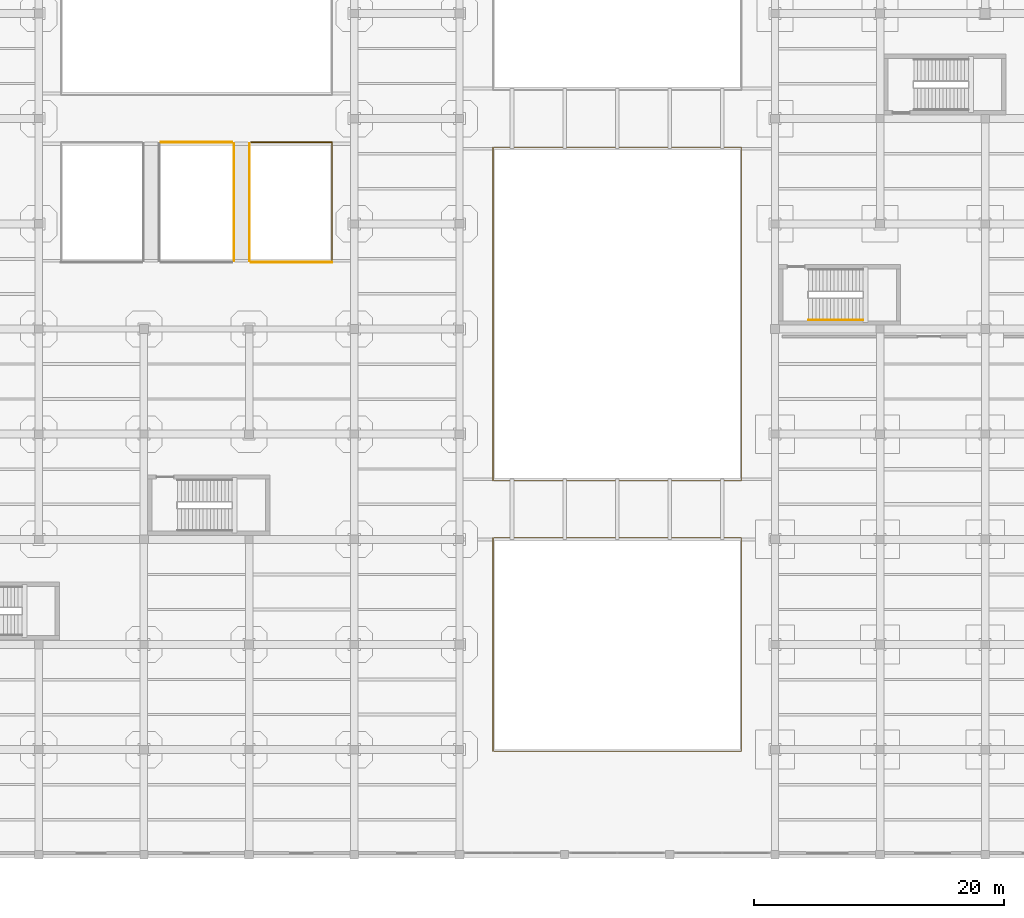
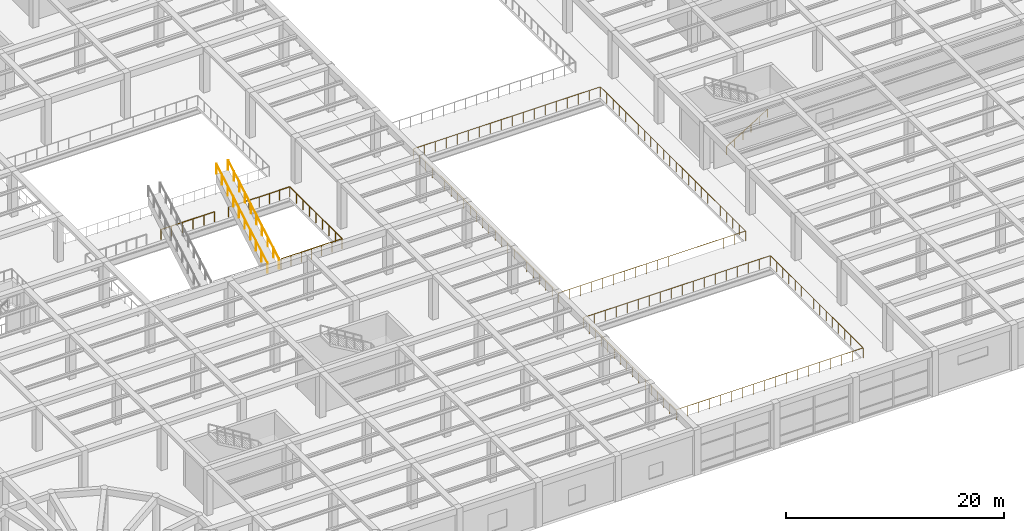
# One storey, part 86 of 95: 8 railings.
"""IFC4 building model written with IfcOpenShell, lengths in metres."""

from ifc_helpers import new_model, si_unit, direction, frame, origin, origin_2d, place, context, subcontext, project, spatial, circle, extrude, material, type_object, element, save


model = new_model("IFC4")

# Units and contexts
model_context = context("Model", 3, precision=1e-05, world=origin(), true_north=direction((0.0, 1.0)))
body_context = subcontext(model_context, "Body", "Model", "MODEL_VIEW")
ifc_project = project(units=[si_unit("LENGTHUNIT", "METRE"), si_unit("AREAUNIT", "SQUARE_METRE"), si_unit("VOLUMEUNIT", "CUBIC_METRE"), si_unit("PLANEANGLEUNIT", "RADIAN"), si_unit("MASSUNIT", "GRAM", prefix="KILO")], contexts=[model_context])

# Site, building, storey
site_placement = place(None, origin())
site = spatial("IfcSite", under=ifc_project, at=site_placement, CompositionType="ELEMENT")
building_placement = place(site_placement, origin())
building = spatial("IfcBuilding", under=site, at=building_placement, Name="Almacenes y Pasaje Nevantli", CompositionType="ELEMENT")
storey_placement = place(building_placement, frame((0.0, 0.0, 11.39990234375)))
storey = spatial("IfcBuildingStorey", under=building, at=storey_placement, Name="L03", CompositionType="ELEMENT", Elevation=11.39990234375)

# Railings
ifc_material_1 = material(Name="Brushed Stainless Steel and Tempered Safety Glass", Category="steel")
railing_type_1 = type_object("IfcRailingType", Name="RL-GUARD-1100", PredefinedType="BALUSTRADE", material=ifc_material_1)
for number, where, name in (
    (1, (49.179931640625, 47.449951171875, 0.0), "Atrium Escalator ESC-06 W Balustrade"),
    (2, (50.419921875, 47.449951171875, 0.0), "Atrium Escalator ESC-06 E Balustrade"),
):
    element("IfcRailing", number, at=place(storey_placement, frame(where)), inside=storey, type_object=railing_type_1, Name=name, PredefinedType="BALUSTRADE", context=body_context, shape_type="SweptSolid", body=[
        extrude(circle(Radius=0.02392578125, at=origin_2d()), frame((0.0, 0.02587890625, 1.140869140625), z_axis=(0.0, 0.865950598439, 0.500129544281), x_axis=(-1.0, 0.0, 0.0)), (0.0, 0.0, 1.0), 10.737548828125),
        extrude(circle(Radius=0.02099609375, at=origin_2d()), origin(), (0.0, 0.0, 1.0), 1.096923828125),
        extrude(circle(Radius=0.02099609375, at=origin_2d()), frame((0.0, 1.038818359375, 0.60009765625)), (0.0, 0.0, 1.0), 1.096923828125),
        extrude(circle(Radius=0.02099609375, at=origin_2d()), frame((0.0, 2.077880859375, 1.199951171875)), (0.0, 0.0, 1.0), 1.096923828125),
        extrude(circle(Radius=0.02099609375, at=origin_2d()), frame((0.0, 3.11669921875, 1.800048828125)), (0.0, 0.0, 1.0), 1.096923828125),
        extrude(circle(Radius=0.02099609375, at=origin_2d()), frame((0.0, 4.155517578125, 2.400146484375)), (0.0, 0.0, 1.0), 1.096923828125),
        extrude(circle(Radius=0.02099609375, at=origin_2d()), frame((0.0, 5.194580078125, 3.0)), (0.0, 0.0, 1.0), 1.096923828125),
        extrude(circle(Radius=0.02099609375, at=origin_2d()), frame((0.0, 6.2333984375, 3.60009765625)), (0.0, 0.0, 1.0), 1.096923828125),
        extrude(circle(Radius=0.02099609375, at=origin_2d()), frame((0.0, 7.272216796875, 4.2001953125)), (0.0, 0.0, 1.0), 1.096923828125),
        extrude(circle(Radius=0.02099609375, at=origin_2d()), frame((0.0, 8.311279296875, 4.800048828125)), (0.0, 0.0, 1.0), 1.096923828125),
        extrude(circle(Radius=0.02099609375, at=origin_2d()), frame((0.0, 9.35009765625, 5.400146484375)), (0.0, 0.0, 1.0), 1.096923828125),
    ])
railing_1_placement = place(storey_placement, frame((43.35009765625, 56.919921875, 0.0)))
element("IfcRailing", 3, at=railing_1_placement, inside=storey, type_object=railing_type_1, Name="L03 South Atrium Bridge Center Guard Balustrade", PredefinedType="BALUSTRADE", context=body_context, shape_type="SweptSolid", body=[
    extrude(circle(Radius=0.02392578125, at=origin_2d()), frame((0.030029296875, 0.0, 1.1259765625), z_axis=(1.0, 0.0, 0.0), x_axis=(0.0, 1.0, 0.0)), (0.0, 0.0, 1.0), 5.639892578125),
    extrude(circle(Radius=0.02099609375, at=origin_2d()), origin(), (0.0, 0.0, 1.0), 1.096923828125),
    extrude(circle(Radius=0.02099609375, at=origin_2d()), frame((1.139892578125, 0.0, 0.0)), (0.0, 0.0, 1.0), 1.096923828125),
    extrude(circle(Radius=0.02099609375, at=origin_2d()), frame((2.280029296875, 0.0, 0.0)), (0.0, 0.0, 1.0), 1.096923828125),
    extrude(circle(Radius=0.02099609375, at=origin_2d()), frame((3.419921875, 0.0, 0.0)), (0.0, 0.0, 1.0), 1.096923828125),
    extrude(circle(Radius=0.02099609375, at=origin_2d()), frame((4.56005859375, 0.0, 0.0)), (0.0, 0.0, 1.0), 1.096923828125),
    extrude(circle(Radius=0.02099609375, at=origin_2d()), frame((5.699951171875, 0.0, 0.0)), (0.0, 0.0, 1.0), 1.096923828125),
])
railing_2_placement = place(storey_placement, frame((50.550048828125, 56.919921875, 0.0)))
element("IfcRailing", 4, at=railing_2_placement, inside=storey, type_object=railing_type_1, Name="L03 South Atrium Void East Guard Balustrade", PredefinedType="BALUSTRADE", context=body_context, shape_type="SweptSolid", body=[
    extrude(circle(Radius=0.02392578125, at=origin_2d()), frame((0.030029296875, 0.0, 1.1259765625), z_axis=(1.0, 0.0, 0.0), x_axis=(0.0, 1.0, 0.0)), (0.0, 0.0, 1.0), 6.409912109375),
    extrude(circle(Radius=0.02392578125, at=origin_2d()), frame((6.469970703125, -0.030029296875, 1.1259765625), z_axis=(0.0, -1.0, 0.0), x_axis=(1.0, 0.0, 0.0)), (0.0, 0.0, 1.0), 9.52978515625),
    extrude(circle(Radius=0.02099609375, at=origin_2d()), origin(), (0.0, 0.0, 1.0), 1.096923828125),
    extrude(circle(Radius=0.02099609375, at=origin_2d()), frame((1.078369140625, 0.0, 0.0)), (0.0, 0.0, 1.0), 1.096923828125),
    extrude(circle(Radius=0.02099609375, at=origin_2d()), frame((2.15673828125, 0.0, 0.0)), (0.0, 0.0, 1.0), 1.096923828125),
    extrude(circle(Radius=0.02099609375, at=origin_2d()), frame((3.23486328125, 0.0, 0.0)), (0.0, 0.0, 1.0), 1.096923828125),
    extrude(circle(Radius=0.02099609375, at=origin_2d()), frame((4.313232421875, 0.0, 0.0)), (0.0, 0.0, 1.0), 1.096923828125),
    extrude(circle(Radius=0.02099609375, at=origin_2d()), frame((5.3916015625, 0.0, 0.0)), (0.0, 0.0, 1.0), 1.096923828125),
    extrude(circle(Radius=0.02099609375, at=origin_2d()), frame((6.469970703125, 0.0, 0.0)), (0.0, 0.0, 1.0), 1.096923828125),
    extrude(circle(Radius=0.02099609375, at=origin_2d()), frame((6.469970703125, -1.19873046875, 0.0)), (0.0, 0.0, 1.0), 1.096923828125),
    extrude(circle(Radius=0.02099609375, at=origin_2d()), frame((6.469970703125, -2.3974609375, 0.0)), (0.0, 0.0, 1.0), 1.096923828125),
    extrude(circle(Radius=0.02099609375, at=origin_2d()), frame((6.469970703125, -3.59619140625, 0.0)), (0.0, 0.0, 1.0), 1.096923828125),
    extrude(circle(Radius=0.02099609375, at=origin_2d()), frame((6.469970703125, -4.794921875, 0.0)), (0.0, 0.0, 1.0), 1.096923828125),
    extrude(circle(Radius=0.02099609375, at=origin_2d()), frame((6.469970703125, -5.99365234375, 0.0)), (0.0, 0.0, 1.0), 1.096923828125),
    extrude(circle(Radius=0.02099609375, at=origin_2d()), frame((6.469970703125, -7.1923828125, 0.0)), (0.0, 0.0, 1.0), 1.096923828125),
    extrude(circle(Radius=0.02099609375, at=origin_2d()), frame((6.469970703125, -8.39111328125, 0.0)), (0.0, 0.0, 1.0), 1.096923828125),
    extrude(circle(Radius=0.02099609375, at=origin_2d()), frame((6.469970703125, -9.58984375, 0.0)), (0.0, 0.0, 1.0), 1.096923828125),
])
railing_3_placement = place(storey_placement, frame((50.550048828125, 47.330078125, 0.0)))
element("IfcRailing", 5, at=railing_3_placement, inside=storey, type_object=railing_type_1, Name="L03 South Atrium South-East Guard", PredefinedType="BALUSTRADE", context=body_context, shape_type="SweptSolid", body=[
    extrude(circle(Radius=0.02392578125, at=origin_2d()), frame((0.030029296875, 0.0, 1.1259765625), z_axis=(1.0, 0.0, 0.0), x_axis=(0.0, 1.0, 0.0)), (0.0, 0.0, 1.0), 6.409912109375),
    extrude(circle(Radius=0.02099609375, at=origin_2d()), origin(), (0.0, 0.0, 1.0), 1.096923828125),
    extrude(circle(Radius=0.02099609375, at=origin_2d()), frame((1.078369140625, 0.0, 0.0)), (0.0, 0.0, 1.0), 1.096923828125),
    extrude(circle(Radius=0.02099609375, at=origin_2d()), frame((2.15673828125, 0.0, 0.0)), (0.0, 0.0, 1.0), 1.096923828125),
    extrude(circle(Radius=0.02099609375, at=origin_2d()), frame((3.23486328125, 0.0, 0.0)), (0.0, 0.0, 1.0), 1.096923828125),
    extrude(circle(Radius=0.02099609375, at=origin_2d()), frame((4.313232421875, 0.0, 0.0)), (0.0, 0.0, 1.0), 1.096923828125),
    extrude(circle(Radius=0.02099609375, at=origin_2d()), frame((5.3916015625, 0.0, 0.0)), (0.0, 0.0, 1.0), 1.096923828125),
    extrude(circle(Radius=0.02099609375, at=origin_2d()), frame((6.469970703125, 0.0, 0.0)), (0.0, 0.0, 1.0), 1.096923828125),
])
railing_4_placement = place(storey_placement, frame((69.8798828125, 8.280029296875, 0.0)))
element("IfcRailing", 6, at=railing_4_placement, inside=storey, type_object=railing_type_1, Name="L03 Arcade Galleria Void VOID-ARC-1 Guard Balustrade", PredefinedType="BALUSTRADE", context=body_context, shape_type="SweptSolid", body=[
    extrude(circle(Radius=0.02392578125, at=origin_2d()), frame((0.030029296875, 0.0, 1.1259765625), z_axis=(1.0, 0.0, 0.0), x_axis=(0.0, 1.0, 0.0)), (0.0, 0.0, 1.0), 19.780029296875),
    extrude(circle(Radius=0.02392578125, at=origin_2d()), frame((19.840087890625, 0.030029296875, 1.1259765625), z_axis=(0.0, 1.0, 0.0), x_axis=(-1.0, 0.0, 0.0)), (0.0, 0.0, 1.0), 16.97998046875),
    extrude(circle(Radius=0.02392578125, at=origin_2d()), frame((19.81005859375, 17.0400390625, 1.1259765625), z_axis=(-1.0, 0.0, 0.0), x_axis=(0.0, -1.0, 0.0)), (0.0, 0.0, 1.0), 19.780029296875),
    extrude(circle(Radius=0.02392578125, at=origin_2d()), frame((0.0, 17.010009765625, 1.1259765625), z_axis=(0.0, -1.0, 0.0), x_axis=(1.0, 0.0, 0.0)), (0.0, 0.0, 1.0), 16.97998046875),
    extrude(circle(Radius=0.02099609375, at=origin_2d()), origin(), (0.0, 0.0, 1.0), 1.096923828125),
    extrude(circle(Radius=0.02099609375, at=origin_2d()), frame((1.1669921875, 0.0, 0.0)), (0.0, 0.0, 1.0), 1.096923828125),
    extrude(circle(Radius=0.02099609375, at=origin_2d()), frame((2.334228515625, 0.0, 0.0)), (0.0, 0.0, 1.0), 1.096923828125),
    extrude(circle(Radius=0.02099609375, at=origin_2d()), frame((3.501220703125, 0.0, 0.0)), (0.0, 0.0, 1.0), 1.096923828125),
    extrude(circle(Radius=0.02099609375, at=origin_2d()), frame((4.668212890625, 0.0, 0.0)), (0.0, 0.0, 1.0), 1.096923828125),
    extrude(circle(Radius=0.02099609375, at=origin_2d()), frame((5.835205078125, 0.0, 0.0)), (0.0, 0.0, 1.0), 1.096923828125),
    extrude(circle(Radius=0.02099609375, at=origin_2d()), frame((7.00244140625, 0.0, 0.0)), (0.0, 0.0, 1.0), 1.096923828125),
    extrude(circle(Radius=0.02099609375, at=origin_2d()), frame((8.16943359375, 0.0, 0.0)), (0.0, 0.0, 1.0), 1.096923828125),
    extrude(circle(Radius=0.02099609375, at=origin_2d()), frame((9.33642578125, 0.0, 0.0)), (0.0, 0.0, 1.0), 1.096923828125),
    extrude(circle(Radius=0.02099609375, at=origin_2d()), frame((10.503662109375, 0.0, 0.0)), (0.0, 0.0, 1.0), 1.096923828125),
    extrude(circle(Radius=0.02099609375, at=origin_2d()), frame((11.670654296875, 0.0, 0.0)), (0.0, 0.0, 1.0), 1.096923828125),
    extrude(circle(Radius=0.02099609375, at=origin_2d()), frame((12.837646484375, 0.0, 0.0)), (0.0, 0.0, 1.0), 1.096923828125),
    extrude(circle(Radius=0.02099609375, at=origin_2d()), frame((14.0048828125, 0.0, 0.0)), (0.0, 0.0, 1.0), 1.096923828125),
    extrude(circle(Radius=0.02099609375, at=origin_2d()), frame((15.171875, 0.0, 0.0)), (0.0, 0.0, 1.0), 1.096923828125),
    extrude(circle(Radius=0.02099609375, at=origin_2d()), frame((16.3388671875, 0.0, 0.0)), (0.0, 0.0, 1.0), 1.096923828125),
    extrude(circle(Radius=0.02099609375, at=origin_2d()), frame((17.505859375, 0.0, 0.0)), (0.0, 0.0, 1.0), 1.096923828125),
    extrude(circle(Radius=0.02099609375, at=origin_2d()), frame((18.673095703125, 0.0, 0.0)), (0.0, 0.0, 1.0), 1.096923828125),
    extrude(circle(Radius=0.02099609375, at=origin_2d()), frame((19.840087890625, 0.0, 0.0)), (0.0, 0.0, 1.0), 1.096923828125),
    extrude(circle(Radius=0.02099609375, at=origin_2d()), frame((19.840087890625, 1.135986328125, 0.0)), (0.0, 0.0, 1.0), 1.096923828125),
    extrude(circle(Radius=0.02099609375, at=origin_2d()), frame((19.840087890625, 2.27197265625, 0.0)), (0.0, 0.0, 1.0), 1.096923828125),
    extrude(circle(Radius=0.02099609375, at=origin_2d()), frame((19.840087890625, 3.407958984375, 0.0)), (0.0, 0.0, 1.0), 1.096923828125),
    extrude(circle(Radius=0.02099609375, at=origin_2d()), frame((19.840087890625, 4.5439453125, 0.0)), (0.0, 0.0, 1.0), 1.096923828125),
    extrude(circle(Radius=0.02099609375, at=origin_2d()), frame((19.840087890625, 5.679931640625, 0.0)), (0.0, 0.0, 1.0), 1.096923828125),
    extrude(circle(Radius=0.02099609375, at=origin_2d()), frame((19.840087890625, 6.81591796875, 0.0)), (0.0, 0.0, 1.0), 1.096923828125),
    extrude(circle(Radius=0.02099609375, at=origin_2d()), frame((19.840087890625, 7.951904296875, 0.0)), (0.0, 0.0, 1.0), 1.096923828125),
    extrude(circle(Radius=0.02099609375, at=origin_2d()), frame((19.840087890625, 9.088134765625, 0.0)), (0.0, 0.0, 1.0), 1.096923828125),
    extrude(circle(Radius=0.02099609375, at=origin_2d()), frame((19.840087890625, 10.22412109375, 0.0)), (0.0, 0.0, 1.0), 1.096923828125),
    extrude(circle(Radius=0.02099609375, at=origin_2d()), frame((19.840087890625, 11.360107421875, 0.0)), (0.0, 0.0, 1.0), 1.096923828125),
    extrude(circle(Radius=0.02099609375, at=origin_2d()), frame((19.840087890625, 12.49609375, 0.0)), (0.0, 0.0, 1.0), 1.096923828125),
    extrude(circle(Radius=0.02099609375, at=origin_2d()), frame((19.840087890625, 13.632080078125, 0.0)), (0.0, 0.0, 1.0), 1.096923828125),
    extrude(circle(Radius=0.02099609375, at=origin_2d()), frame((19.840087890625, 14.76806640625, 0.0)), (0.0, 0.0, 1.0), 1.096923828125),
    extrude(circle(Radius=0.02099609375, at=origin_2d()), frame((19.840087890625, 15.904052734375, 0.0)), (0.0, 0.0, 1.0), 1.096923828125),
    extrude(circle(Radius=0.02099609375, at=origin_2d()), frame((19.840087890625, 17.0400390625, 0.0)), (0.0, 0.0, 1.0), 1.096923828125),
    extrude(circle(Radius=0.02099609375, at=origin_2d()), frame((18.673095703125, 17.0400390625, 0.0)), (0.0, 0.0, 1.0), 1.096923828125),
    extrude(circle(Radius=0.02099609375, at=origin_2d()), frame((17.505859375, 17.0400390625, 0.0)), (0.0, 0.0, 1.0), 1.096923828125),
    extrude(circle(Radius=0.02099609375, at=origin_2d()), frame((16.3388671875, 17.0400390625, 0.0)), (0.0, 0.0, 1.0), 1.096923828125),
    extrude(circle(Radius=0.02099609375, at=origin_2d()), frame((15.171875, 17.0400390625, 0.0)), (0.0, 0.0, 1.0), 1.096923828125),
    extrude(circle(Radius=0.02099609375, at=origin_2d()), frame((14.0048828125, 17.0400390625, 0.0)), (0.0, 0.0, 1.0), 1.096923828125),
    extrude(circle(Radius=0.02099609375, at=origin_2d()), frame((12.837646484375, 17.0400390625, 0.0)), (0.0, 0.0, 1.0), 1.096923828125),
    extrude(circle(Radius=0.02099609375, at=origin_2d()), frame((11.670654296875, 17.0400390625, 0.0)), (0.0, 0.0, 1.0), 1.096923828125),
    extrude(circle(Radius=0.02099609375, at=origin_2d()), frame((10.503662109375, 17.0400390625, 0.0)), (0.0, 0.0, 1.0), 1.096923828125),
    extrude(circle(Radius=0.02099609375, at=origin_2d()), frame((9.33642578125, 17.0400390625, 0.0)), (0.0, 0.0, 1.0), 1.096923828125),
    extrude(circle(Radius=0.02099609375, at=origin_2d()), frame((8.16943359375, 17.0400390625, 0.0)), (0.0, 0.0, 1.0), 1.096923828125),
    extrude(circle(Radius=0.02099609375, at=origin_2d()), frame((7.00244140625, 17.0400390625, 0.0)), (0.0, 0.0, 1.0), 1.096923828125),
    extrude(circle(Radius=0.02099609375, at=origin_2d()), frame((5.835205078125, 17.0400390625, 0.0)), (0.0, 0.0, 1.0), 1.096923828125),
    extrude(circle(Radius=0.02099609375, at=origin_2d()), frame((4.668212890625, 17.0400390625, 0.0)), (0.0, 0.0, 1.0), 1.096923828125),
    extrude(circle(Radius=0.02099609375, at=origin_2d()), frame((3.501220703125, 17.0400390625, 0.0)), (0.0, 0.0, 1.0), 1.096923828125),
    extrude(circle(Radius=0.02099609375, at=origin_2d()), frame((2.334228515625, 17.0400390625, 0.0)), (0.0, 0.0, 1.0), 1.096923828125),
    extrude(circle(Radius=0.02099609375, at=origin_2d()), frame((1.1669921875, 17.0400390625, 0.0)), (0.0, 0.0, 1.0), 1.096923828125),
    extrude(circle(Radius=0.02099609375, at=origin_2d()), frame((0.0, 17.0400390625, 0.0)), (0.0, 0.0, 1.0), 1.096923828125),
    extrude(circle(Radius=0.02099609375, at=origin_2d()), frame((0.0, 15.904052734375, 0.0)), (0.0, 0.0, 1.0), 1.096923828125),
    extrude(circle(Radius=0.02099609375, at=origin_2d()), frame((0.0, 14.76806640625, 0.0)), (0.0, 0.0, 1.0), 1.096923828125),
    extrude(circle(Radius=0.02099609375, at=origin_2d()), frame((0.0, 13.632080078125, 0.0)), (0.0, 0.0, 1.0), 1.096923828125),
    extrude(circle(Radius=0.02099609375, at=origin_2d()), frame((0.0, 12.49609375, 0.0)), (0.0, 0.0, 1.0), 1.096923828125),
    extrude(circle(Radius=0.02099609375, at=origin_2d()), frame((0.0, 11.360107421875, 0.0)), (0.0, 0.0, 1.0), 1.096923828125),
    extrude(circle(Radius=0.02099609375, at=origin_2d()), frame((0.0, 10.22412109375, 0.0)), (0.0, 0.0, 1.0), 1.096923828125),
    extrude(circle(Radius=0.02099609375, at=origin_2d()), frame((0.0, 9.088134765625, 0.0)), (0.0, 0.0, 1.0), 1.096923828125),
    extrude(circle(Radius=0.02099609375, at=origin_2d()), frame((0.0, 7.951904296875, 0.0)), (0.0, 0.0, 1.0), 1.096923828125),
    extrude(circle(Radius=0.02099609375, at=origin_2d()), frame((0.0, 6.81591796875, 0.0)), (0.0, 0.0, 1.0), 1.096923828125),
    extrude(circle(Radius=0.02099609375, at=origin_2d()), frame((0.0, 5.679931640625, 0.0)), (0.0, 0.0, 1.0), 1.096923828125),
    extrude(circle(Radius=0.02099609375, at=origin_2d()), frame((0.0, 4.5439453125, 0.0)), (0.0, 0.0, 1.0), 1.096923828125),
    extrude(circle(Radius=0.02099609375, at=origin_2d()), frame((0.0, 3.407958984375, 0.0)), (0.0, 0.0, 1.0), 1.096923828125),
    extrude(circle(Radius=0.02099609375, at=origin_2d()), frame((0.0, 2.27197265625, 0.0)), (0.0, 0.0, 1.0), 1.096923828125),
    extrude(circle(Radius=0.02099609375, at=origin_2d()), frame((0.0, 1.135986328125, 0.0)), (0.0, 0.0, 1.0), 1.096923828125),
])
railing_5_placement = place(storey_placement, frame((69.8798828125, 29.8798828125, 0.0)))
element("IfcRailing", 7, at=railing_5_placement, inside=storey, type_object=railing_type_1, Name="L03 Arcade Galleria Void VOID-ARC-2 Guard Balustrade", PredefinedType="BALUSTRADE", context=body_context, shape_type="SweptSolid", body=[
    extrude(circle(Radius=0.02392578125, at=origin_2d()), frame((0.030029296875, 0.0, 1.1259765625), z_axis=(1.0, 0.0, 0.0), x_axis=(0.0, 1.0, 0.0)), (0.0, 0.0, 1.0), 19.780029296875),
    extrude(circle(Radius=0.02392578125, at=origin_2d()), frame((19.840087890625, 0.030029296875, 1.1259765625), z_axis=(0.0, 1.0, 0.0), x_axis=(-1.0, 0.0, 0.0)), (0.0, 0.0, 1.0), 26.580078125),
    extrude(circle(Radius=0.02392578125, at=origin_2d()), frame((19.81005859375, 26.64013671875, 1.1259765625), z_axis=(-1.0, 0.0, 0.0), x_axis=(0.0, -1.0, 0.0)), (0.0, 0.0, 1.0), 19.780029296875),
    extrude(circle(Radius=0.02392578125, at=origin_2d()), frame((0.0, 26.610107421875, 1.1259765625), z_axis=(0.0, -1.0, 0.0), x_axis=(1.0, 0.0, 0.0)), (0.0, 0.0, 1.0), 26.580078125),
    extrude(circle(Radius=0.02099609375, at=origin_2d()), origin(), (0.0, 0.0, 1.0), 1.096923828125),
    extrude(circle(Radius=0.02099609375, at=origin_2d()), frame((1.1669921875, 0.0, 0.0)), (0.0, 0.0, 1.0), 1.096923828125),
    extrude(circle(Radius=0.02099609375, at=origin_2d()), frame((2.334228515625, 0.0, 0.0)), (0.0, 0.0, 1.0), 1.096923828125),
    extrude(circle(Radius=0.02099609375, at=origin_2d()), frame((3.501220703125, 0.0, 0.0)), (0.0, 0.0, 1.0), 1.096923828125),
    extrude(circle(Radius=0.02099609375, at=origin_2d()), frame((4.668212890625, 0.0, 0.0)), (0.0, 0.0, 1.0), 1.096923828125),
    extrude(circle(Radius=0.02099609375, at=origin_2d()), frame((5.835205078125, 0.0, 0.0)), (0.0, 0.0, 1.0), 1.096923828125),
    extrude(circle(Radius=0.02099609375, at=origin_2d()), frame((7.00244140625, 0.0, 0.0)), (0.0, 0.0, 1.0), 1.096923828125),
    extrude(circle(Radius=0.02099609375, at=origin_2d()), frame((8.16943359375, 0.0, 0.0)), (0.0, 0.0, 1.0), 1.096923828125),
    extrude(circle(Radius=0.02099609375, at=origin_2d()), frame((9.33642578125, 0.0, 0.0)), (0.0, 0.0, 1.0), 1.096923828125),
    extrude(circle(Radius=0.02099609375, at=origin_2d()), frame((10.503662109375, 0.0, 0.0)), (0.0, 0.0, 1.0), 1.096923828125),
    extrude(circle(Radius=0.02099609375, at=origin_2d()), frame((11.670654296875, 0.0, 0.0)), (0.0, 0.0, 1.0), 1.096923828125),
    extrude(circle(Radius=0.02099609375, at=origin_2d()), frame((12.837646484375, 0.0, 0.0)), (0.0, 0.0, 1.0), 1.096923828125),
    extrude(circle(Radius=0.02099609375, at=origin_2d()), frame((14.0048828125, 0.0, 0.0)), (0.0, 0.0, 1.0), 1.096923828125),
    extrude(circle(Radius=0.02099609375, at=origin_2d()), frame((15.171875, 0.0, 0.0)), (0.0, 0.0, 1.0), 1.096923828125),
    extrude(circle(Radius=0.02099609375, at=origin_2d()), frame((16.3388671875, 0.0, 0.0)), (0.0, 0.0, 1.0), 1.096923828125),
    extrude(circle(Radius=0.02099609375, at=origin_2d()), frame((17.505859375, 0.0, 0.0)), (0.0, 0.0, 1.0), 1.096923828125),
    extrude(circle(Radius=0.02099609375, at=origin_2d()), frame((18.673095703125, 0.0, 0.0)), (0.0, 0.0, 1.0), 1.096923828125),
    extrude(circle(Radius=0.02099609375, at=origin_2d()), frame((19.840087890625, 0.0, 0.0)), (0.0, 0.0, 1.0), 1.096923828125),
    extrude(circle(Radius=0.02099609375, at=origin_2d()), frame((19.840087890625, 1.158203125, 0.0)), (0.0, 0.0, 1.0), 1.096923828125),
    extrude(circle(Radius=0.02099609375, at=origin_2d()), frame((19.840087890625, 2.316650390625, 0.0)), (0.0, 0.0, 1.0), 1.096923828125),
    extrude(circle(Radius=0.02099609375, at=origin_2d()), frame((19.840087890625, 3.474853515625, 0.0)), (0.0, 0.0, 1.0), 1.096923828125),
    extrude(circle(Radius=0.02099609375, at=origin_2d()), frame((19.840087890625, 4.633056640625, 0.0)), (0.0, 0.0, 1.0), 1.096923828125),
    extrude(circle(Radius=0.02099609375, at=origin_2d()), frame((19.840087890625, 5.791259765625, 0.0)), (0.0, 0.0, 1.0), 1.096923828125),
    extrude(circle(Radius=0.02099609375, at=origin_2d()), frame((19.840087890625, 6.94970703125, 0.0)), (0.0, 0.0, 1.0), 1.096923828125),
    extrude(circle(Radius=0.02099609375, at=origin_2d()), frame((19.840087890625, 8.10791015625, 0.0)), (0.0, 0.0, 1.0), 1.096923828125),
    extrude(circle(Radius=0.02099609375, at=origin_2d()), frame((19.840087890625, 9.26611328125, 0.0)), (0.0, 0.0, 1.0), 1.096923828125),
    extrude(circle(Radius=0.02099609375, at=origin_2d()), frame((19.840087890625, 10.42431640625, 0.0)), (0.0, 0.0, 1.0), 1.096923828125),
    extrude(circle(Radius=0.02099609375, at=origin_2d()), frame((19.840087890625, 11.582763671875, 0.0)), (0.0, 0.0, 1.0), 1.096923828125),
    extrude(circle(Radius=0.02099609375, at=origin_2d()), frame((19.840087890625, 12.740966796875, 0.0)), (0.0, 0.0, 1.0), 1.096923828125),
    extrude(circle(Radius=0.02099609375, at=origin_2d()), frame((19.840087890625, 13.899169921875, 0.0)), (0.0, 0.0, 1.0), 1.096923828125),
    extrude(circle(Radius=0.02099609375, at=origin_2d()), frame((19.840087890625, 15.057373046875, 0.0)), (0.0, 0.0, 1.0), 1.096923828125),
    extrude(circle(Radius=0.02099609375, at=origin_2d()), frame((19.840087890625, 16.2158203125, 0.0)), (0.0, 0.0, 1.0), 1.096923828125),
    extrude(circle(Radius=0.02099609375, at=origin_2d()), frame((19.840087890625, 17.3740234375, 0.0)), (0.0, 0.0, 1.0), 1.096923828125),
    extrude(circle(Radius=0.02099609375, at=origin_2d()), frame((19.840087890625, 18.5322265625, 0.0)), (0.0, 0.0, 1.0), 1.096923828125),
    extrude(circle(Radius=0.02099609375, at=origin_2d()), frame((19.840087890625, 19.6904296875, 0.0)), (0.0, 0.0, 1.0), 1.096923828125),
    extrude(circle(Radius=0.02099609375, at=origin_2d()), frame((19.840087890625, 20.848876953125, 0.0)), (0.0, 0.0, 1.0), 1.096923828125),
    extrude(circle(Radius=0.02099609375, at=origin_2d()), frame((19.840087890625, 22.007080078125, 0.0)), (0.0, 0.0, 1.0), 1.096923828125),
    extrude(circle(Radius=0.02099609375, at=origin_2d()), frame((19.840087890625, 23.165283203125, 0.0)), (0.0, 0.0, 1.0), 1.096923828125),
    extrude(circle(Radius=0.02099609375, at=origin_2d()), frame((19.840087890625, 24.323486328125, 0.0)), (0.0, 0.0, 1.0), 1.096923828125),
    extrude(circle(Radius=0.02099609375, at=origin_2d()), frame((19.840087890625, 25.48193359375, 0.0)), (0.0, 0.0, 1.0), 1.096923828125),
    extrude(circle(Radius=0.02099609375, at=origin_2d()), frame((19.840087890625, 26.64013671875, 0.0)), (0.0, 0.0, 1.0), 1.096923828125),
    extrude(circle(Radius=0.02099609375, at=origin_2d()), frame((18.673095703125, 26.64013671875, 0.0)), (0.0, 0.0, 1.0), 1.096923828125),
    extrude(circle(Radius=0.02099609375, at=origin_2d()), frame((17.505859375, 26.64013671875, 0.0)), (0.0, 0.0, 1.0), 1.096923828125),
    extrude(circle(Radius=0.02099609375, at=origin_2d()), frame((16.3388671875, 26.64013671875, 0.0)), (0.0, 0.0, 1.0), 1.096923828125),
    extrude(circle(Radius=0.02099609375, at=origin_2d()), frame((15.171875, 26.64013671875, 0.0)), (0.0, 0.0, 1.0), 1.096923828125),
    extrude(circle(Radius=0.02099609375, at=origin_2d()), frame((14.0048828125, 26.64013671875, 0.0)), (0.0, 0.0, 1.0), 1.096923828125),
    extrude(circle(Radius=0.02099609375, at=origin_2d()), frame((12.837646484375, 26.64013671875, 0.0)), (0.0, 0.0, 1.0), 1.096923828125),
    extrude(circle(Radius=0.02099609375, at=origin_2d()), frame((11.670654296875, 26.64013671875, 0.0)), (0.0, 0.0, 1.0), 1.096923828125),
    extrude(circle(Radius=0.02099609375, at=origin_2d()), frame((10.503662109375, 26.64013671875, 0.0)), (0.0, 0.0, 1.0), 1.096923828125),
    extrude(circle(Radius=0.02099609375, at=origin_2d()), frame((9.33642578125, 26.64013671875, 0.0)), (0.0, 0.0, 1.0), 1.096923828125),
    extrude(circle(Radius=0.02099609375, at=origin_2d()), frame((8.16943359375, 26.64013671875, 0.0)), (0.0, 0.0, 1.0), 1.096923828125),
    extrude(circle(Radius=0.02099609375, at=origin_2d()), frame((7.00244140625, 26.64013671875, 0.0)), (0.0, 0.0, 1.0), 1.096923828125),
    extrude(circle(Radius=0.02099609375, at=origin_2d()), frame((5.835205078125, 26.64013671875, 0.0)), (0.0, 0.0, 1.0), 1.096923828125),
    extrude(circle(Radius=0.02099609375, at=origin_2d()), frame((4.668212890625, 26.64013671875, 0.0)), (0.0, 0.0, 1.0), 1.096923828125),
    extrude(circle(Radius=0.02099609375, at=origin_2d()), frame((3.501220703125, 26.64013671875, 0.0)), (0.0, 0.0, 1.0), 1.096923828125),
    extrude(circle(Radius=0.02099609375, at=origin_2d()), frame((2.334228515625, 26.64013671875, 0.0)), (0.0, 0.0, 1.0), 1.096923828125),
    extrude(circle(Radius=0.02099609375, at=origin_2d()), frame((1.1669921875, 26.64013671875, 0.0)), (0.0, 0.0, 1.0), 1.096923828125),
    extrude(circle(Radius=0.02099609375, at=origin_2d()), frame((0.0, 26.64013671875, 0.0)), (0.0, 0.0, 1.0), 1.096923828125),
    extrude(circle(Radius=0.02099609375, at=origin_2d()), frame((0.0, 25.48193359375, 0.0)), (0.0, 0.0, 1.0), 1.096923828125),
    extrude(circle(Radius=0.02099609375, at=origin_2d()), frame((0.0, 24.323486328125, 0.0)), (0.0, 0.0, 1.0), 1.096923828125),
    extrude(circle(Radius=0.02099609375, at=origin_2d()), frame((0.0, 23.165283203125, 0.0)), (0.0, 0.0, 1.0), 1.096923828125),
    extrude(circle(Radius=0.02099609375, at=origin_2d()), frame((0.0, 22.007080078125, 0.0)), (0.0, 0.0, 1.0), 1.096923828125),
    extrude(circle(Radius=0.02099609375, at=origin_2d()), frame((0.0, 20.848876953125, 0.0)), (0.0, 0.0, 1.0), 1.096923828125),
    extrude(circle(Radius=0.02099609375, at=origin_2d()), frame((0.0, 19.6904296875, 0.0)), (0.0, 0.0, 1.0), 1.096923828125),
    extrude(circle(Radius=0.02099609375, at=origin_2d()), frame((0.0, 18.5322265625, 0.0)), (0.0, 0.0, 1.0), 1.096923828125),
    extrude(circle(Radius=0.02099609375, at=origin_2d()), frame((0.0, 17.3740234375, 0.0)), (0.0, 0.0, 1.0), 1.096923828125),
    extrude(circle(Radius=0.02099609375, at=origin_2d()), frame((0.0, 16.2158203125, 0.0)), (0.0, 0.0, 1.0), 1.096923828125),
    extrude(circle(Radius=0.02099609375, at=origin_2d()), frame((0.0, 15.057373046875, 0.0)), (0.0, 0.0, 1.0), 1.096923828125),
    extrude(circle(Radius=0.02099609375, at=origin_2d()), frame((0.0, 13.899169921875, 0.0)), (0.0, 0.0, 1.0), 1.096923828125),
    extrude(circle(Radius=0.02099609375, at=origin_2d()), frame((0.0, 12.740966796875, 0.0)), (0.0, 0.0, 1.0), 1.096923828125),
    extrude(circle(Radius=0.02099609375, at=origin_2d()), frame((0.0, 11.582763671875, 0.0)), (0.0, 0.0, 1.0), 1.096923828125),
    extrude(circle(Radius=0.02099609375, at=origin_2d()), frame((0.0, 10.42431640625, 0.0)), (0.0, 0.0, 1.0), 1.096923828125),
    extrude(circle(Radius=0.02099609375, at=origin_2d()), frame((0.0, 9.26611328125, 0.0)), (0.0, 0.0, 1.0), 1.096923828125),
    extrude(circle(Radius=0.02099609375, at=origin_2d()), frame((0.0, 8.10791015625, 0.0)), (0.0, 0.0, 1.0), 1.096923828125),
    extrude(circle(Radius=0.02099609375, at=origin_2d()), frame((0.0, 6.94970703125, 0.0)), (0.0, 0.0, 1.0), 1.096923828125),
    extrude(circle(Radius=0.02099609375, at=origin_2d()), frame((0.0, 5.791259765625, 0.0)), (0.0, 0.0, 1.0), 1.096923828125),
    extrude(circle(Radius=0.02099609375, at=origin_2d()), frame((0.0, 4.633056640625, 0.0)), (0.0, 0.0, 1.0), 1.096923828125),
    extrude(circle(Radius=0.02099609375, at=origin_2d()), frame((0.0, 3.474853515625, 0.0)), (0.0, 0.0, 1.0), 1.096923828125),
    extrude(circle(Radius=0.02099609375, at=origin_2d()), frame((0.0, 2.316650390625, 0.0)), (0.0, 0.0, 1.0), 1.096923828125),
    extrude(circle(Radius=0.02099609375, at=origin_2d()), frame((0.0, 1.158203125, 0.0)), (0.0, 0.0, 1.0), 1.096923828125),
])
ifc_material_2 = material(Name="Brushed Stainless Steel Tube", Category="steel")
railing_type_2 = type_object("IfcRailingType", Name="RL-HANDRAIL-900", PredefinedType="HANDRAIL", material=ifc_material_2)
railing_6_placement = place(storey_placement, frame((95.10009765625, 42.7099609375, 0.0)))
element("IfcRailing", 8, at=railing_6_placement, inside=storey, type_object=railing_type_2, Name="L03 Stair ST-08 Lower Flight Handrail", PredefinedType="HANDRAIL", context=body_context, shape_type="SweptSolid", body=[
    extrude(circle(Radius=0.02392578125, at=origin_2d()), frame((0.025390625, 0.0, 0.8916015625), z_axis=(0.849615114927, 0.0, 0.52740322002), x_axis=(0.0, 1.0, 0.0)), (0.0, 0.0, 1.0), 5.059814453125),
    extrude(circle(Radius=0.02099609375, at=origin_2d()), origin(), (0.0, 0.0, 1.0), 0.846923828125),
    extrude(circle(Radius=0.02099609375, at=origin_2d()), frame((0.869873046875, 0.0, 0.5400390625)), (0.0, 0.0, 1.0), 0.846923828125),
    extrude(circle(Radius=0.02099609375, at=origin_2d()), frame((1.739990234375, 0.0, 1.080078125)), (0.0, 0.0, 1.0), 0.846923828125),
    extrude(circle(Radius=0.02099609375, at=origin_2d()), frame((2.60986328125, 0.0, 1.6201171875)), (0.0, 0.0, 1.0), 0.846923828125),
    extrude(circle(Radius=0.02099609375, at=origin_2d()), frame((3.47998046875, 0.0, 2.16015625)), (0.0, 0.0, 1.0), 0.846923828125),
    extrude(circle(Radius=0.02099609375, at=origin_2d()), frame((4.349853515625, 0.0, 2.7001953125)), (0.0, 0.0, 1.0), 0.846923828125),
])

save(model, "model.ifc")
